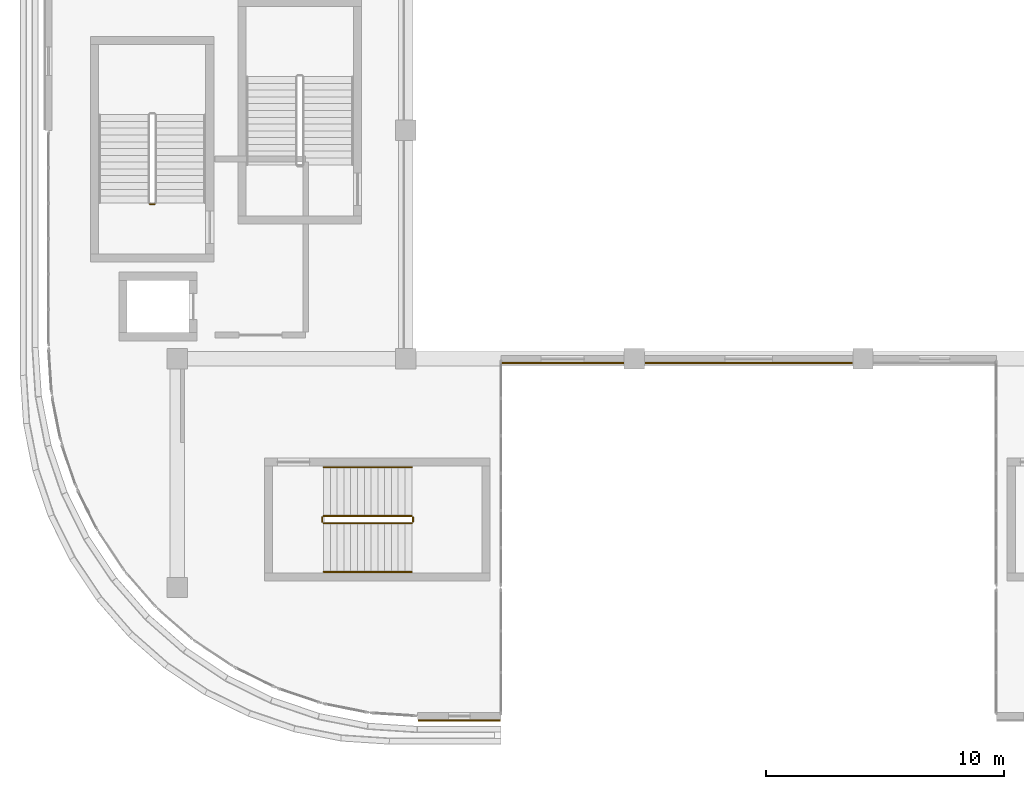
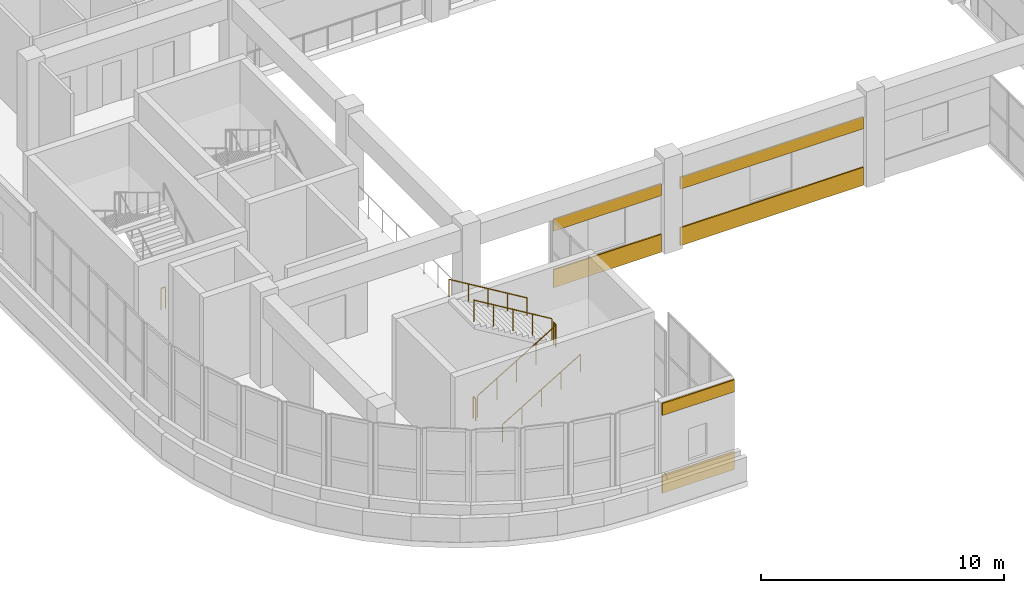
# One storey, part 54 of 67: 7 railings, 6 coverings.
"""IFC4 building model written with IfcOpenShell, lengths in metres."""

from ifc_helpers import new_model, si_unit, direction, frame, origin, origin_2d, place, context, subcontext, project, spatial, rectangle, circle, extrude, material, layer, layer_set, type_object, element, save


model = new_model("IFC4")

# Units and contexts
model_context = context("Model", 3, precision=1e-05, world=origin(), true_north=direction((0.0, 1.0)))
body_context = subcontext(model_context, "Body", "Model", "MODEL_VIEW")
ifc_project = project(units=[si_unit("LENGTHUNIT", "METRE"), si_unit("AREAUNIT", "SQUARE_METRE"), si_unit("VOLUMEUNIT", "CUBIC_METRE"), si_unit("PLANEANGLEUNIT", "RADIAN"), si_unit("MASSUNIT", "GRAM", prefix="KILO")], contexts=[model_context])

# Site, building, storey
site_placement = place(None, origin())
site = spatial("IfcSite", under=ifc_project, at=site_placement, CompositionType="ELEMENT")
building_placement = place(site_placement, origin())
building = spatial("IfcBuilding", under=site, at=building_placement, Name="Cendralis Terraced Arcade", CompositionType="ELEMENT")
storey_placement = place(building_placement, frame((0.0, 0.0, 15.0)))
storey = spatial("IfcBuildingStorey", under=building, at=storey_placement, Name="L03", CompositionType="ELEMENT", Elevation=15.0)

# Coverings
ifc_material_1 = material(Name="Precast concrete f'c 40 MPa", Category="concrete")
ifc_layer = layer(ifc_material_1, 0.06494140625, Name="COV-CLAD-GRC-65")
ifc_layer_set = layer_set([ifc_layer], Name="Precast concrete f'c 40 MPa")
covering_type = type_object("IfcCoveringType", Name="COV-CLAD-GRC-65", PredefinedType="CLADDING", material=ifc_layer_set)
covering_1_placement = place(storey_placement, frame((33.60009765625, 19.02001953125, 0.0), z_axis=(0.0, 0.0, 1.0), x_axis=(-1.0, 0.0, 0.0)))
element("IfcCovering", 1, at=covering_1_placement, inside=storey, type_object=covering_type, Name="Banded Precast Stone Spandrel Cladding L03-403", PredefinedType="CLADDING", context=body_context, shape_type="SweptSolid", body=[
    extrude(rectangle(XDim=8.694091796875, YDim=0.06494140625, at=origin_2d()), origin(), (0.0, 0.0, 1.0), 0.89990234375),
])
covering_2_placement = place(storey_placement, frame((33.60009765625, 19.02001953125, 2.83984375), z_axis=(0.0, 0.0, 1.0), x_axis=(-1.0, 0.0, 0.0)))
element("IfcCovering", 2, at=covering_2_placement, inside=storey, type_object=covering_type, Name="Banded Precast Stone Lintel Cladding L03-404", PredefinedType="CLADDING", context=body_context, shape_type="SweptSolid", body=[
    extrude(rectangle(XDim=8.694091796875, YDim=0.06494140625, at=origin_2d()), origin(), (0.0, 0.0, 1.0), 0.60009765625),
])
covering_3_placement = place(storey_placement, frame((25.78857421875, 19.02001953125, 0.0), z_axis=(0.0, 0.0, 1.0), x_axis=(-1.0, 0.0, 0.0)))
element("IfcCovering", 3, at=covering_3_placement, inside=storey, type_object=covering_type, Name="Banded Precast Stone Spandrel Cladding L03-405", PredefinedType="CLADDING", context=body_context, shape_type="SweptSolid", body=[
    extrude(rectangle(XDim=5.116943359375, YDim=0.06494140625, at=origin_2d()), origin(), (0.0, 0.0, 1.0), 0.89990234375),
])
covering_4_placement = place(storey_placement, frame((25.78857421875, 19.02001953125, 2.83984375), z_axis=(0.0, 0.0, 1.0), x_axis=(-1.0, 0.0, 0.0)))
element("IfcCovering", 4, at=covering_4_placement, inside=storey, type_object=covering_type, Name="Banded Precast Stone Lintel Cladding L03-406", PredefinedType="CLADDING", context=body_context, shape_type="SweptSolid", body=[
    extrude(rectangle(XDim=5.116943359375, YDim=0.06494140625, at=origin_2d()), origin(), (0.0, 0.0, 1.0), 0.60009765625),
])
covering_5_placement = place(storey_placement, frame((21.449951171875, 4.02001953125, 0.0), z_axis=(0.0, 0.0, 1.0), x_axis=(-1.0, 0.0, 0.0)))
element("IfcCovering", 5, at=covering_5_placement, inside=storey, type_object=covering_type, Name="Banded Precast Stone Spandrel Cladding L03-407", PredefinedType="CLADDING", context=body_context, shape_type="SweptSolid", body=[
    extrude(rectangle(XDim=3.43994140625, YDim=0.06494140625, at=origin_2d()), origin(), (0.0, 0.0, 1.0), 0.89990234375),
])
covering_6_placement = place(storey_placement, frame((21.449951171875, 4.02001953125, 3.89990234375), z_axis=(0.0, 0.0, 1.0), x_axis=(-1.0, 0.0, 0.0)))
element("IfcCovering", 6, at=covering_6_placement, inside=storey, type_object=covering_type, Name="Banded Precast Stone Lintel Cladding L03-408", PredefinedType="CLADDING", context=body_context, shape_type="SweptSolid", body=[
    extrude(rectangle(XDim=3.43994140625, YDim=0.06494140625, at=origin_2d()), origin(), (0.0, 0.0, 1.0), 0.60009765625),
])

# Railings
ifc_material_2 = material(Name="Brushed stainless steel AISI 316", Category="steel")
railing_type_1 = type_object("IfcRailingType", Name="RL-STAIR-GUARD-1100", PredefinedType="GUARDRAIL", material=ifc_material_2)
railing_1_placement = place(storey_placement, frame((8.64990234375, 25.699951171875, 0.0)))
element("IfcRailing", 7, at=railing_1_placement, inside=storey, type_object=railing_type_1, Name="L03 ST-01 stair guard 4", PredefinedType="GUARDRAIL", context=body_context, shape_type="SweptSolid", body=[
    extrude(circle(Radius=0.02392578125, at=origin_2d()), frame((0.0, 0.0, 1.076171875), z_axis=(-1.0, 0.0, 0.0), x_axis=(0.0, -1.0, 0.0)), (0.0, 0.0, 1.0), 0.199951171875),
    extrude(circle(Radius=0.02099609375, at=origin_2d()), origin(), (0.0, 0.0, 1.0), 1.052001953125),
    extrude(circle(Radius=0.02099609375, at=origin_2d()), frame((-0.199951171875, 0.0, 0.0)), (0.0, 0.0, 1.0), 1.052001953125),
])
railing_2_placement = place(storey_placement, frame((15.75, 12.300048828125, 0.17138671875)))
element("IfcRailing", 8, at=railing_2_placement, inside=storey, type_object=railing_type_1, Name="L03 ST-02 stair guard 1", PredefinedType="GUARDRAIL", context=body_context, shape_type="SweptSolid", body=[
    extrude(circle(Radius=0.02392578125, at=origin_2d()), frame((0.0, 0.0, 1.076171875), z_axis=(0.856934400257, 0.0, 0.515425487977), x_axis=(0.0, 1.0, 0.0)), (0.0, 0.0, 1.0), 4.32373046875),
    extrude(circle(Radius=0.02099609375, at=origin_2d()), origin(), (0.0, 0.0, 1.0), 1.052001953125),
    extrude(circle(Radius=0.02099609375, at=origin_2d()), frame((0.92626953125, 0.0, 0.55712890625)), (0.0, 0.0, 1.0), 1.052001953125),
    extrude(circle(Radius=0.02099609375, at=origin_2d()), frame((1.8525390625, 0.0, 1.1142578125)), (0.0, 0.0, 1.0), 1.052001953125),
    extrude(circle(Radius=0.02099609375, at=origin_2d()), frame((2.77880859375, 0.0, 1.67138671875)), (0.0, 0.0, 1.0), 1.052001953125),
    extrude(circle(Radius=0.02099609375, at=origin_2d()), frame((3.705078125, 0.0, 2.228515625)), (0.0, 0.0, 1.0), 1.052001953125),
])
railing_3_placement = place(storey_placement, frame((19.5048828125, 12.35009765625, 2.39990234375)))
element("IfcRailing", 9, at=railing_3_placement, inside=storey, type_object=railing_type_1, Name="L03 ST-02 stair guard 2", PredefinedType="GUARDRAIL", context=body_context, shape_type="SweptSolid", body=[
    extrude(circle(Radius=0.02392578125, at=origin_2d()), frame((0.0, 0.0, 1.076171875), z_axis=(0.0, 1.0, 0.0), x_axis=(-1.0, 0.0, 0.0)), (0.0, 0.0, 1.0), 0.199951171875),
    extrude(circle(Radius=0.02099609375, at=origin_2d()), origin(), (0.0, 0.0, 1.0), 1.052001953125),
    extrude(circle(Radius=0.02099609375, at=origin_2d()), frame((0.0, 0.199951171875, 0.0)), (0.0, 0.0, 1.0), 1.052001953125),
])
railing_4_placement = place(storey_placement, frame((19.455078125, 12.60009765625, 2.571533203125)))
element("IfcRailing", 10, at=railing_4_placement, inside=storey, type_object=railing_type_1, Name="L03 ST-02 stair guard 3", PredefinedType="GUARDRAIL", context=body_context, shape_type="SweptSolid", body=[
    extrude(circle(Radius=0.02392578125, at=origin_2d()), frame((0.0, 0.0, 1.076171875), z_axis=(-0.856934400257, 0.0, 0.515425487977), x_axis=(0.0, -1.0, 0.0)), (0.0, 0.0, 1.0), 4.32373046875),
    extrude(circle(Radius=0.02099609375, at=origin_2d()), origin(), (0.0, 0.0, 1.0), 1.052001953125),
    extrude(circle(Radius=0.02099609375, at=origin_2d()), frame((-0.92626953125, 0.0, 0.55712890625)), (0.0, 0.0, 1.0), 1.052001953125),
    extrude(circle(Radius=0.02099609375, at=origin_2d()), frame((-1.8525390625, 0.0, 1.1142578125)), (0.0, 0.0, 1.0), 1.052001953125),
    extrude(circle(Radius=0.02099609375, at=origin_2d()), frame((-2.77880859375, 0.0, 1.67138671875)), (0.0, 0.0, 1.0), 1.052001953125),
    extrude(circle(Radius=0.02099609375, at=origin_2d()), frame((-3.705078125, 0.0, 2.228515625)), (0.0, 0.0, 1.0), 1.052001953125),
])
railing_5_placement = place(storey_placement, frame((15.699951171875, 12.35009765625, 0.0)))
element("IfcRailing", 11, at=railing_5_placement, inside=storey, type_object=railing_type_1, Name="L03 ST-02 stair guard 4", PredefinedType="GUARDRAIL", context=body_context, shape_type="SweptSolid", body=[
    extrude(circle(Radius=0.02392578125, at=origin_2d()), frame((0.0, 0.0, 1.076171875), z_axis=(0.0, 1.0, 0.0), x_axis=(-1.0, 0.0, 0.0)), (0.0, 0.0, 1.0), 0.199951171875),
    extrude(circle(Radius=0.02099609375, at=origin_2d()), origin(), (0.0, 0.0, 1.0), 1.052001953125),
    extrude(circle(Radius=0.02099609375, at=origin_2d()), frame((0.0, 0.199951171875, 0.0)), (0.0, 0.0, 1.0), 1.052001953125),
])
railing_type_2 = type_object("IfcRailingType", Name="RL-STAIR-HAND-900", PredefinedType="HANDRAIL", material=ifc_material_2)
railing_6_placement = place(storey_placement, frame((15.75, 10.25, 0.17138671875)))
element("IfcRailing", 12, at=railing_6_placement, inside=storey, type_object=railing_type_2, Name="L03 ST-02 stair handrail 1", PredefinedType="HANDRAIL", context=body_context, shape_type="SweptSolid", body=[
    extrude(circle(Radius=0.02392578125, at=origin_2d()), frame((0.0, 0.0, 0.8759765625), z_axis=(0.856934400257, 0.0, 0.515425487977), x_axis=(0.0, 1.0, 0.0)), (0.0, 0.0, 1.0), 4.32373046875),
    extrude(circle(Radius=0.02099609375, at=origin_2d()), origin(), (0.0, 0.0, 1.0), 0.851806640625),
    extrude(circle(Radius=0.02099609375, at=origin_2d()), frame((0.92626953125, 0.0, 0.55712890625)), (0.0, 0.0, 1.0), 0.851806640625),
    extrude(circle(Radius=0.02099609375, at=origin_2d()), frame((1.8525390625, 0.0, 1.1142578125)), (0.0, 0.0, 1.0), 0.851806640625),
    extrude(circle(Radius=0.02099609375, at=origin_2d()), frame((2.77880859375, 0.0, 1.67138671875)), (0.0, 0.0, 1.0), 0.851806640625),
    extrude(circle(Radius=0.02099609375, at=origin_2d()), frame((3.705078125, 0.0, 2.228515625)), (0.0, 0.0, 1.0), 0.851806640625),
])
railing_7_placement = place(storey_placement, frame((19.455078125, 14.64990234375, 2.571533203125)))
element("IfcRailing", 13, at=railing_7_placement, inside=storey, type_object=railing_type_2, Name="L03 ST-02 stair handrail 2", PredefinedType="HANDRAIL", context=body_context, shape_type="SweptSolid", body=[
    extrude(circle(Radius=0.02392578125, at=origin_2d()), frame((0.0, 0.0, 0.8759765625), z_axis=(-0.856934400257, 0.0, 0.515425487977), x_axis=(0.0, -1.0, 0.0)), (0.0, 0.0, 1.0), 4.32373046875),
    extrude(circle(Radius=0.02099609375, at=origin_2d()), origin(), (0.0, 0.0, 1.0), 0.851806640625),
    extrude(circle(Radius=0.02099609375, at=origin_2d()), frame((-0.92626953125, 0.0, 0.55712890625)), (0.0, 0.0, 1.0), 0.851806640625),
    extrude(circle(Radius=0.02099609375, at=origin_2d()), frame((-1.8525390625, 0.0, 1.1142578125)), (0.0, 0.0, 1.0), 0.851806640625),
    extrude(circle(Radius=0.02099609375, at=origin_2d()), frame((-2.77880859375, 0.0, 1.67138671875)), (0.0, 0.0, 1.0), 0.851806640625),
    extrude(circle(Radius=0.02099609375, at=origin_2d()), frame((-3.705078125, 0.0, 2.228515625)), (0.0, 0.0, 1.0), 0.851806640625),
])

save(model, "model.ifc")
